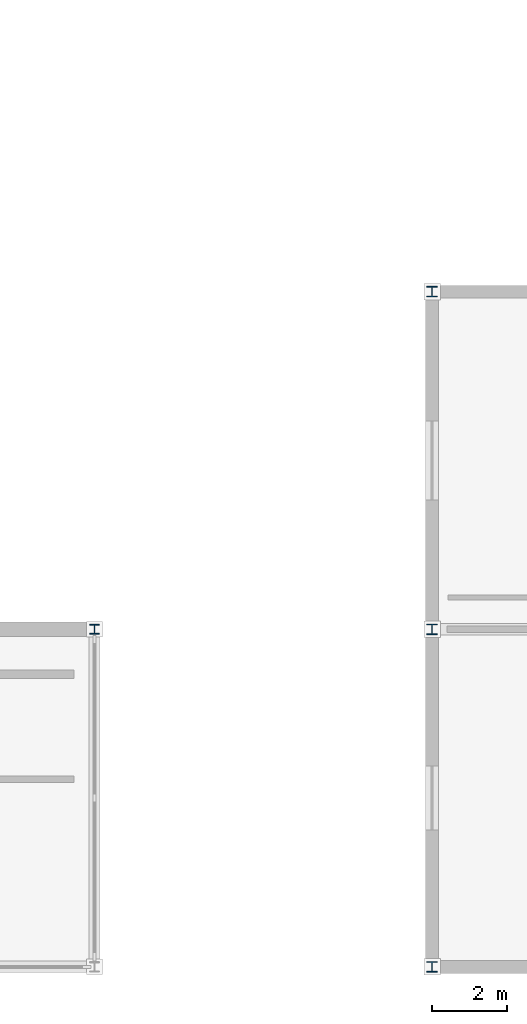
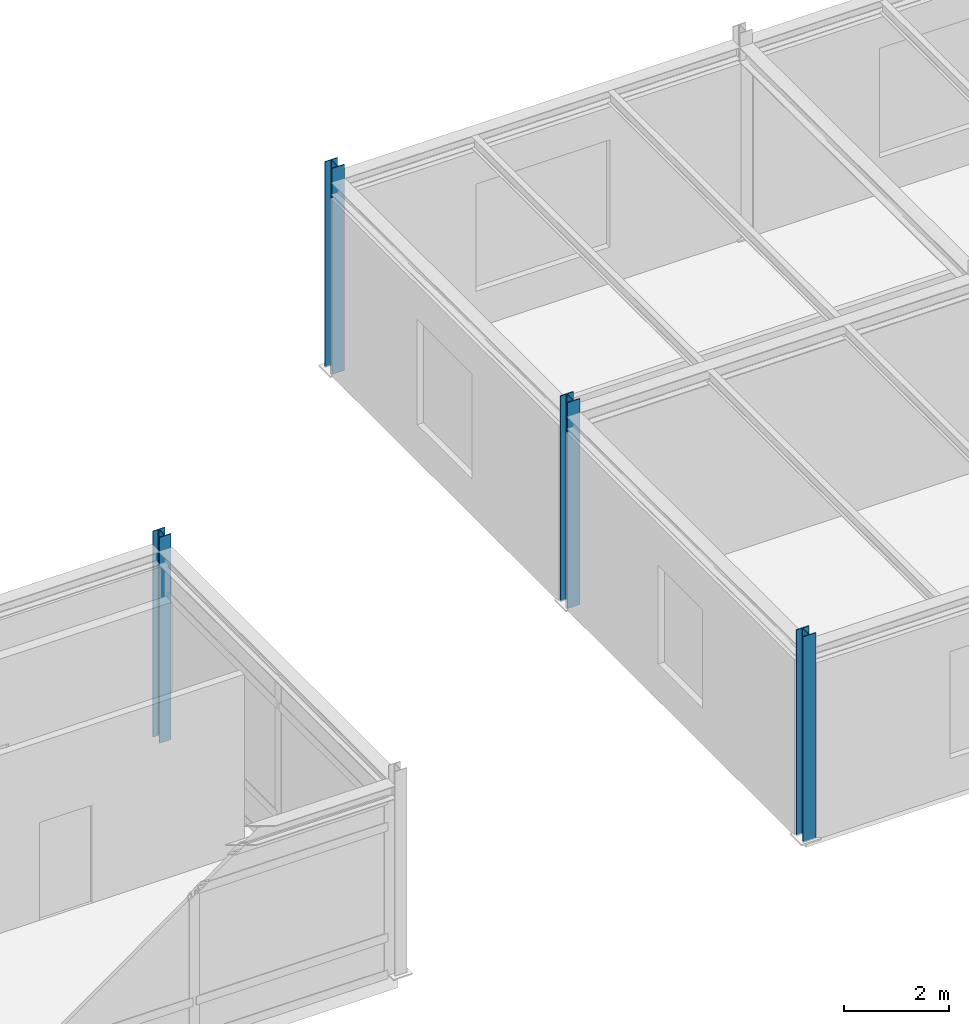
# One storey, part 5 of 61: 4 columns.
"""IFC4 building model written with IfcOpenShell, lengths in metres."""

from ifc_helpers import new_model, si_unit, direction, frame, origin, origin_2d, place, context, subcontext, project, spatial, i_section, extrude, material, material_profile, profile_set, type_object, element, save


model = new_model("IFC4")

# Units and contexts
model_context = context("Model", 3, precision=1e-05, world=origin(), true_north=direction((0.0, 1.0)))
body_context = subcontext(model_context, "Body", "Model", "MODEL_VIEW")
ifc_project = project(units=[si_unit("LENGTHUNIT", "METRE"), si_unit("AREAUNIT", "SQUARE_METRE"), si_unit("VOLUMEUNIT", "CUBIC_METRE"), si_unit("PLANEANGLEUNIT", "RADIAN"), si_unit("MASSUNIT", "GRAM", prefix="KILO")], contexts=[model_context])

# Site, building, storey
site_placement = place(None, origin())
site = spatial("IfcSite", under=ifc_project, at=site_placement, CompositionType="ELEMENT")
building_placement = place(site_placement, origin())
building = spatial("IfcBuilding", under=site, at=building_placement, Name="Bozkorgan Art Gallery", CompositionType="ELEMENT")
storey_placement = place(building_placement, frame((0.0, 0.0, 10.199951171875)))
storey = spatial("IfcBuildingStorey", under=building, at=storey_placement, Name="L02", CompositionType="ELEMENT", Elevation=10.199951171875)

# Columns
ifc_material = material(Name="Steel S355J2", Category="steel")
ifc_material_profile_1 = material_profile(ifc_material, i_section(OverallWidth=0.260009765625, OverallDepth=0.260009765625, WebThickness=0.010009765625, FlangeThickness=0.017578125, FilletRadius=0.02392578125, at=origin_2d()), Name="HEB 260")
ifc_profile_set_1 = profile_set([ifc_material_profile_1], Name="Steel S355J2")
column_type_1 = type_object("IfcColumnType", Name="COLUMN-C-64", PredefinedType="COLUMN", material=ifc_profile_set_1)
column_placement = place(storey_placement, frame((119.0, 11.0, 0.0), z_axis=(0.0, 0.0, 1.0), x_axis=(1.0, 0.0, 0.0)))
element("IfcColumn", 1, at=column_placement, inside=storey, type_object=column_type_1, Name="V3 L02 column (119.0, 11.0)", PredefinedType="COLUMN", context=body_context, shape_type="SweptSolid", body=[
    extrude(i_section(OverallWidth=0.260009765625, OverallDepth=0.260009765625, WebThickness=0.010009765625, FlangeThickness=0.017578125, FilletRadius=0.02392578125, at=origin_2d()), origin(), (0.0, 0.0, 1.0), 4.800048828125),
])
ifc_material_profile_2 = material_profile(ifc_material, i_section(OverallWidth=0.280029296875, OverallDepth=0.280029296875, WebThickness=0.010498046875, FlangeThickness=0.01806640625, FilletRadius=0.02392578125, at=origin_2d()), Name="HEB 280")
ifc_profile_set_2 = profile_set([ifc_material_profile_2], Name="Steel S355J2")
column_type_2 = type_object("IfcColumnType", Name="COLUMN-C-66", PredefinedType="COLUMN", material=ifc_profile_set_2)
for number, where, z_axis, x_axis, name in (
    (2, (128.0, 2.0, 0.0), (0.0, 0.0, 1.0), (1.0, 0.0, 0.0), "V6 L02 column (128.0, 2.0)"),
    (3, (128.0, 11.0, 0.0), (0.0, 0.0, 1.0), (1.0, 0.0, 0.0), "V6 L02 column (128.0, 11.0)"),
    (4, (128.0, 20.0, 0.0), (0.0, 0.0, 1.0), (1.0, 0.0, 0.0), "V6 L02 column (128.0, 20.0)"),
):
    element("IfcColumn", number, at=place(storey_placement, frame(where, z_axis=z_axis, x_axis=x_axis)), inside=storey, type_object=column_type_2, Name=name, PredefinedType="COLUMN", context=body_context, shape_type="SweptSolid", body=[
        extrude(i_section(OverallWidth=0.280029296875, OverallDepth=0.280029296875, WebThickness=0.010498046875, FlangeThickness=0.01806640625, FilletRadius=0.02392578125, at=origin_2d()), origin(), (0.0, 0.0, 1.0), 4.800048828125),
    ])

save(model, "model.ifc")
